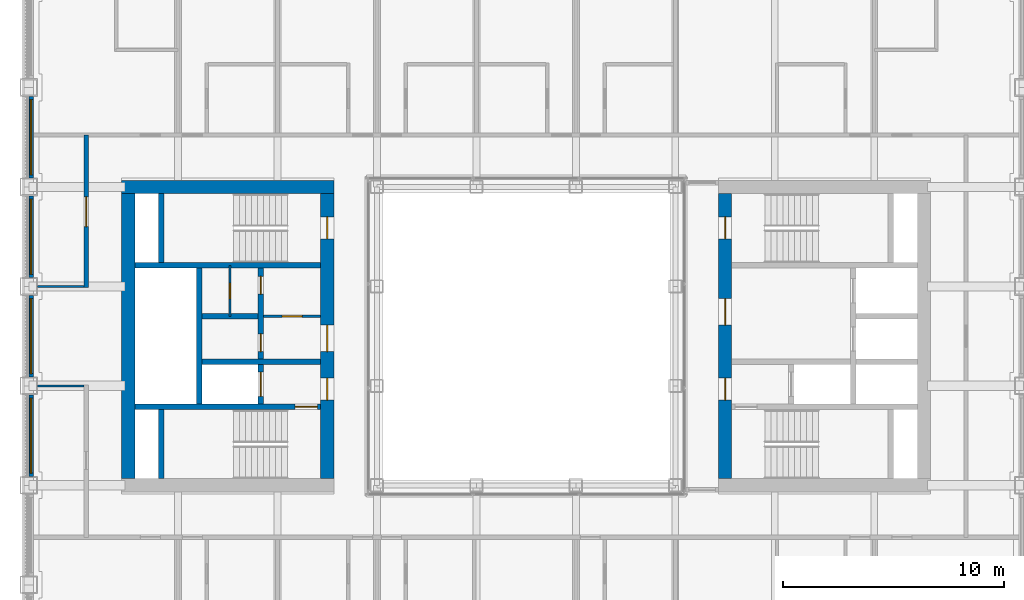
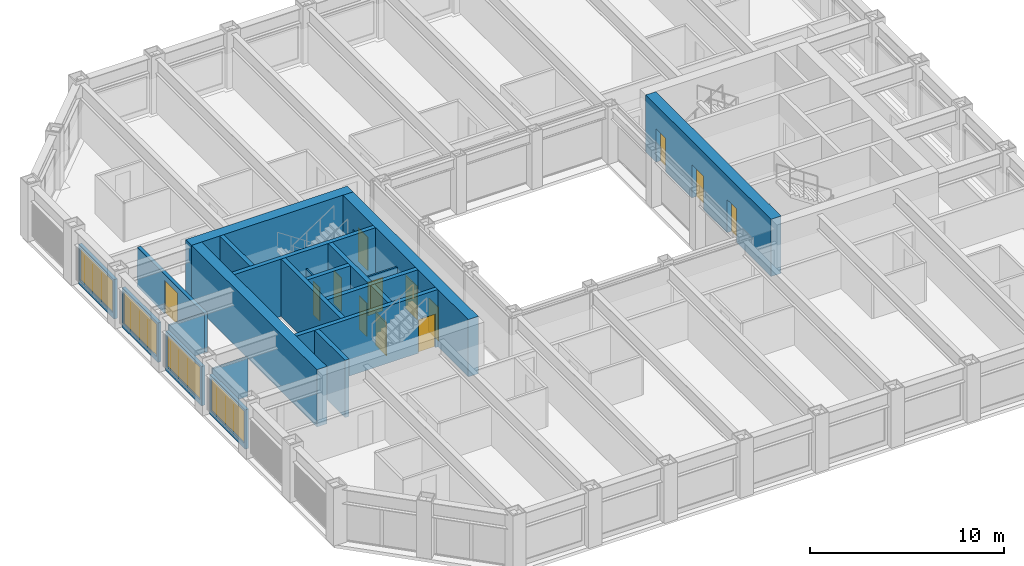
# One storey, part 11 of 17: 21 walls, 13 doors, 4 windows, 17 openings.
"""IFC4 building model written with IfcOpenShell, lengths in metres."""

from ifc_helpers import new_model, si_unit, direction, frame, frame_2d, origin, place, context, subcontext, project, spatial, rectangle, extrude, material, layer, layer_set, type_object, element, fill, save


model = new_model("IFC4")

# Units and contexts
model_context = context("Model", 3, precision=1e-05, world=origin(), true_north=direction((0.0, 1.0)))
body_context = subcontext(model_context, "Body", "Model", "MODEL_VIEW")
ifc_project = project(units=[si_unit("LENGTHUNIT", "METRE"), si_unit("AREAUNIT", "SQUARE_METRE"), si_unit("VOLUMEUNIT", "CUBIC_METRE"), si_unit("PLANEANGLEUNIT", "RADIAN"), si_unit("MASSUNIT", "GRAM", prefix="KILO")], contexts=[model_context])

# Site, building, storey
site_placement = place(None, origin())
site = spatial("IfcSite", under=ifc_project, at=site_placement, CompositionType="ELEMENT")
building_placement = place(site_placement, origin())
building = spatial("IfcBuilding", under=site, at=building_placement, Name="Msasa Ring Tower", CompositionType="ELEMENT")
storey_placement = place(building_placement, frame((0.0, 0.0, 147.199951171875)))
storey = spatial("IfcBuildingStorey", under=building, at=storey_placement, Name="L38", CompositionType="ELEMENT", Elevation=147.199951171875)

# Wall, openings, doors
ifc_material_1 = material(Name="Concrete C60/75", Category="concrete")
ifc_layer_1 = layer(ifc_material_1, 0.60009765625)
ifc_layer_set_1 = layer_set([ifc_layer_1], Name="CW2 CORE WALL 600")
wall_type_1 = type_object("IfcWallType", Name="CW2 CORE WALL 600", PredefinedType="SHEAR", material=ifc_layer_set_1)
wall_1_placement = place(storey_placement, frame((9.0, -6.449951171875, 0.0), z_axis=(0.0, 0.0, 1.0), x_axis=(0.0, 1.0, 0.0)))
wall_1 = element("IfcWall", 1, at=wall_1_placement, inside=storey, type_object=wall_type_1, Name="E core wall W L38", PredefinedType="SHEAR", context=body_context, shape_type="SweptSolid", body=[
    extrude(rectangle(XDim=12.89990234375, YDim=0.60009765625, at=frame_2d((6.449951171875, 0.0))), origin(), (0.0, 0.0, 1.0), 3.60009765625),
])
opening_1_placement = place(wall_1_placement, frame((3.550048828125, 0.0, 0.0)))
opening_1 = element("IfcOpeningElement", 2, at=opening_1_placement, cuts=wall_1, Name="Opening HC-029", PredefinedType="OPENING", context=body_context, shape_type="SweptSolid", body=[
    extrude(rectangle(XDim=1.0, YDim=2.10009765625, at=frame_2d((0.5, 1.050048828125))), frame((0.0, 0.31005859375, 0.0), z_axis=(0.0, -1.0, 0.0), x_axis=(1.0, 0.0, 0.0)), (0.0, 0.0, 1.0), 0.6201171875),
])
opening_2_placement = place(wall_1_placement, frame((6.949951171875, 0.0, 0.0)))
opening_2 = element("IfcOpeningElement", 3, at=opening_2_placement, cuts=wall_1, Name="Opening HC-023", PredefinedType="OPENING", context=body_context, shape_type="SweptSolid", body=[
    extrude(rectangle(XDim=1.199951171875, YDim=2.10009765625, at=frame_2d((0.60009765625, 1.050048828125))), frame((0.0, 0.31005859375, 0.0), z_axis=(0.0, -1.0, 0.0), x_axis=(1.0, 0.0, 0.0)), (0.0, 0.0, 1.0), 0.6201171875),
])
opening_3_placement = place(wall_1_placement, frame((10.85009765625, 0.0, 0.0)))
opening_3 = element("IfcOpeningElement", 4, at=opening_3_placement, cuts=wall_1, Name="Opening HC-020", PredefinedType="OPENING", context=body_context, shape_type="SweptSolid", body=[
    extrude(rectangle(XDim=1.0, YDim=2.10009765625, at=frame_2d((0.5, 1.050048828125))), frame((0.0, 0.31005859375, 0.0), z_axis=(0.0, -1.0, 0.0), x_axis=(1.0, 0.0, 0.0)), (0.0, 0.0, 1.0), 0.6201171875),
])
ifc_material_2 = material(Name="Timber door leaf in a steel frame", Category="steel")
door_type_1 = type_object("IfcDoorType", Name="D4 LOBBY DOOR 1000x2100", OperationType="SINGLE_SWING_LEFT", PredefinedType="DOOR", material=ifc_material_2)
door_1_placement = place(opening_1_placement, origin())
door_1 = element("IfcDoor", 5, at=door_1_placement, inside=storey, type_object=door_type_1, Name="Door L38-EFFL", OperationType="SINGLE_SWING_LEFT", OverallHeight=2.10009765625, OverallWidth=1.0, PredefinedType="DOOR", context=body_context, shape_type="SweptSolid", body=[
    extrude(rectangle(XDim=1.0, YDim=2.10009765625, at=frame_2d((0.5, 1.050048828125))), frame((0.0, 0.02490234375, 0.0), z_axis=(0.0, -1.0, 0.0), x_axis=(1.0, 0.0, 0.0)), (0.0, 0.0, 1.0), 0.050048828125),
])
fill(opening_1, door_1)
ifc_material_3 = material(Name="Timber door leaf in a steel frame", Category="steel")
door_type_2 = type_object("IfcDoorType", Name="D5 WIDE LOBBY DOOR 1200x2100", OperationType="SINGLE_SWING_LEFT", PredefinedType="DOOR", material=ifc_material_3)
door_2_placement = place(opening_2_placement, origin())
door_2 = element("IfcDoor", 6, at=door_2_placement, inside=storey, type_object=door_type_2, Name="Door L38-ELL", OperationType="SINGLE_SWING_RIGHT", OverallHeight=2.10009765625, OverallWidth=1.199951171875, PredefinedType="DOOR", context=body_context, shape_type="SweptSolid", body=[
    extrude(rectangle(XDim=1.199951171875, YDim=2.10009765625, at=frame_2d((0.60009765625, 1.050048828125))), frame((0.0, 0.02490234375, 0.0), z_axis=(0.0, -1.0, 0.0), x_axis=(1.0, 0.0, 0.0)), (0.0, 0.0, 1.0), 0.050048828125),
])
fill(opening_2, door_2)
ifc_material_4 = material(Name="Timber door leaf in a steel frame", Category="steel")
door_type_3 = type_object("IfcDoorType", Name="D6 STAIR DOOR 1000x2100", OperationType="SINGLE_SWING_LEFT", PredefinedType="DOOR", material=ifc_material_4)
door_3_placement = place(opening_3_placement, origin())
door_3 = element("IfcDoor", 7, at=door_3_placement, inside=storey, type_object=door_type_3, Name="Door L38-ESTB", OperationType="SINGLE_SWING_RIGHT", OverallHeight=2.10009765625, OverallWidth=1.0, PredefinedType="DOOR", context=body_context, shape_type="SweptSolid", body=[
    extrude(rectangle(XDim=1.0, YDim=2.10009765625, at=frame_2d((0.5, 1.050048828125))), frame((0.0, 0.02490234375, 0.0), z_axis=(0.0, -1.0, 0.0), x_axis=(1.0, 0.0, 0.0)), (0.0, 0.0, 1.0), 0.050048828125),
])
fill(opening_3, door_3)

# Wall
wall_2_placement = place(storey_placement, frame((-8.699951171875, 6.75, 0.0), z_axis=(0.0, 0.0, 1.0), x_axis=(-1.0, 0.0, 0.0)))
element("IfcWall", 8, at=wall_2_placement, inside=storey, type_object=wall_type_1, Name="W core wall N L38", PredefinedType="SHEAR", context=body_context, shape_type="SweptSolid", body=[
    extrude(rectangle(XDim=9.60009765625, YDim=0.60009765625, at=frame_2d((4.800048828125, 0.0))), origin(), (0.0, 0.0, 1.0), 3.60009765625),
])

# Wall, openings, doors
wall_3_placement = place(storey_placement, frame((-9.0, -6.449951171875, 0.0), z_axis=(0.0, 0.0, 1.0), x_axis=(0.0, 1.0, 0.0)))
wall_3 = element("IfcWall", 9, at=wall_3_placement, inside=storey, type_object=wall_type_1, Name="W core wall W L38", PredefinedType="SHEAR", context=body_context, shape_type="SweptSolid", body=[
    extrude(rectangle(XDim=12.89990234375, YDim=0.60009765625, at=frame_2d((6.449951171875, 0.0))), origin(), (0.0, 0.0, 1.0), 3.60009765625),
])
opening_4_placement = place(wall_3_placement, frame((3.550048828125, 0.0, 0.0)))
opening_4 = element("IfcOpeningElement", 10, at=opening_4_placement, cuts=wall_3, Name="Opening HC-028", PredefinedType="OPENING", context=body_context, shape_type="SweptSolid", body=[
    extrude(rectangle(XDim=1.0, YDim=2.10009765625, at=frame_2d((0.5, 1.050048828125))), frame((0.0, 0.31005859375, 0.0), z_axis=(0.0, -1.0, 0.0), x_axis=(1.0, 0.0, 0.0)), (0.0, 0.0, 1.0), 0.6201171875),
])
opening_5_placement = place(wall_3_placement, frame((5.75, 0.0, 0.0)))
opening_5 = element("IfcOpeningElement", 11, at=opening_5_placement, cuts=wall_3, Name="Opening HC-026", PredefinedType="OPENING", context=body_context, shape_type="SweptSolid", body=[
    extrude(rectangle(XDim=1.199951171875, YDim=2.10009765625, at=frame_2d((0.60009765625, 1.050048828125))), frame((0.0, 0.31005859375, 0.0), z_axis=(0.0, -1.0, 0.0), x_axis=(1.0, 0.0, 0.0)), (0.0, 0.0, 1.0), 0.6201171875),
])
opening_6_placement = place(wall_3_placement, frame((10.85009765625, 0.0, 0.0)))
opening_6 = element("IfcOpeningElement", 12, at=opening_6_placement, cuts=wall_3, Name="Opening HC-019", PredefinedType="OPENING", context=body_context, shape_type="SweptSolid", body=[
    extrude(rectangle(XDim=1.0, YDim=2.10009765625, at=frame_2d((0.5, 1.050048828125))), frame((0.0, 0.31005859375, 0.0), z_axis=(0.0, -1.0, 0.0), x_axis=(1.0, 0.0, 0.0)), (0.0, 0.0, 1.0), 0.6201171875),
])
door_4_placement = place(opening_4_placement, origin())
door_4 = element("IfcDoor", 13, at=door_4_placement, inside=storey, type_object=door_type_1, Name="Door L38-WFFL", OperationType="SINGLE_SWING_LEFT", OverallHeight=2.10009765625, OverallWidth=1.0, PredefinedType="DOOR", context=body_context, shape_type="SweptSolid", body=[
    extrude(rectangle(XDim=1.0, YDim=2.10009765625, at=frame_2d((0.5, 1.050048828125))), frame((0.0, 0.02490234375, 0.0), z_axis=(0.0, -1.0, 0.0), x_axis=(1.0, 0.0, 0.0)), (0.0, 0.0, 1.0), 0.050048828125),
])
fill(opening_4, door_4)
door_5_placement = place(opening_5_placement, origin())
door_5 = element("IfcDoor", 14, at=door_5_placement, inside=storey, type_object=door_type_2, Name="Door L38-WLL", OperationType="SINGLE_SWING_LEFT", OverallHeight=2.10009765625, OverallWidth=1.199951171875, PredefinedType="DOOR", context=body_context, shape_type="SweptSolid", body=[
    extrude(rectangle(XDim=1.199951171875, YDim=2.10009765625, at=frame_2d((0.60009765625, 1.050048828125))), frame((0.0, 0.02490234375, 0.0), z_axis=(0.0, -1.0, 0.0), x_axis=(1.0, 0.0, 0.0)), (0.0, 0.0, 1.0), 0.050048828125),
])
fill(opening_5, door_5)
door_6_placement = place(opening_6_placement, origin())
door_6 = element("IfcDoor", 15, at=door_6_placement, inside=storey, type_object=door_type_3, Name="Door L38-WSTB", OperationType="SINGLE_SWING_RIGHT", OverallHeight=2.10009765625, OverallWidth=1.0, PredefinedType="DOOR", context=body_context, shape_type="SweptSolid", body=[
    extrude(rectangle(XDim=1.0, YDim=2.10009765625, at=frame_2d((0.5, 1.050048828125))), frame((0.0, 0.02490234375, 0.0), z_axis=(0.0, -1.0, 0.0), x_axis=(1.0, 0.0, 0.0)), (0.0, 0.0, 1.0), 0.050048828125),
])
fill(opening_6, door_6)

# Wall
wall_4_placement = place(storey_placement, frame((-18.0, -6.449951171875, 0.0), z_axis=(0.0, 0.0, 1.0), x_axis=(0.0, 1.0, 0.0)))
element("IfcWall", 16, at=wall_4_placement, inside=storey, type_object=wall_type_1, Name="W core wall E L38", PredefinedType="SHEAR", context=body_context, shape_type="SweptSolid", body=[
    extrude(rectangle(XDim=12.89990234375, YDim=0.60009765625, at=frame_2d((6.449951171875, 0.0))), origin(), (0.0, 0.0, 1.0), 3.60009765625),
])

# Wall, opening, door
ifc_material_5 = material(Name="Concrete C60/75", Category="concrete")
ifc_layer_2 = layer(ifc_material_5, 0.25)
ifc_layer_set_2 = layer_set([ifc_layer_2], Name="CW4 CORE INNER WALL 250")
wall_type_2 = type_object("IfcWallType", Name="CW4 CORE INNER WALL 250", PredefinedType="SHEAR", material=ifc_layer_set_2)
wall_5_placement = place(storey_placement, frame((-9.300048828125, -3.199951171875, 0.0), z_axis=(0.0, 0.0, 1.0), x_axis=(-1.0, 0.0, 0.0)))
wall_5 = element("IfcWall", 17, at=wall_5_placement, inside=storey, type_object=wall_type_2, Name="W core wall STAIRA L38", PredefinedType="SHEAR", context=body_context, shape_type="SweptSolid", body=[
    extrude(rectangle(XDim=8.39990234375, YDim=0.25, at=frame_2d((4.199951171875, 0.0))), origin(), (0.0, 0.0, 1.0), 3.60009765625),
])
opening_7_placement = place(wall_5_placement, frame((0.14990234375, 0.0, 0.0)))
opening_7 = element("IfcOpeningElement", 18, at=opening_7_placement, cuts=wall_5, Name="Opening HC-030", PredefinedType="OPENING", context=body_context, shape_type="SweptSolid", body=[
    extrude(rectangle(XDim=1.0, YDim=2.10009765625, at=frame_2d((0.5, 1.050048828125))), frame((0.0, 0.135009765625, 0.0), z_axis=(0.0, -1.0, 0.0), x_axis=(1.0, 0.0, 0.0)), (0.0, 0.0, 1.0), 0.27001953125),
])
door_7_placement = place(opening_7_placement, origin())
door_7 = element("IfcDoor", 19, at=door_7_placement, inside=storey, type_object=door_type_3, Name="Door L38-WSTA", OperationType="SINGLE_SWING_LEFT", OverallHeight=2.10009765625, OverallWidth=1.0, PredefinedType="DOOR", context=body_context, shape_type="SweptSolid", body=[
    extrude(rectangle(XDim=1.0, YDim=2.10009765625, at=frame_2d((0.5, 1.050048828125))), frame((0.0, 0.02490234375, 0.0), z_axis=(0.0, -1.0, 0.0), x_axis=(1.0, 0.0, 0.0)), (0.0, 0.0, 1.0), 0.050048828125),
])
fill(opening_7, door_7)

# Walls
wall_6_placement = place(storey_placement, frame((-9.300048828125, 3.199951171875, 0.0), z_axis=(0.0, 0.0, 1.0), x_axis=(-1.0, 0.0, 0.0)))
element("IfcWall", 20, at=wall_6_placement, inside=storey, type_object=wall_type_2, Name="W core wall STAIRB L38", PredefinedType="SHEAR", context=body_context, shape_type="SweptSolid", body=[
    extrude(rectangle(XDim=8.39990234375, YDim=0.25, at=frame_2d((4.199951171875, 0.0))), origin(), (0.0, 0.0, 1.0), 3.60009765625),
])
for number, where, z_axis, x_axis, name in (
    (21, (-16.5, -6.449951171875, 0.0), (0.0, 0.0, 1.0), (0.0, 1.0, 0.0), "W core wall RISERA L38"),
    (22, (-16.5, 3.324951171875, 0.0), (0.0, 0.0, 1.0), (0.0, 1.0, 0.0), "W core wall RISERB L38"),
):
    element("IfcWall", number, at=place(storey_placement, frame(where, z_axis=z_axis, x_axis=x_axis)), inside=storey, type_object=wall_type_2, Name=name, PredefinedType="SHEAR", context=body_context, shape_type="SweptSolid", body=[
        extrude(rectangle(XDim=3.125, YDim=0.25, at=frame_2d((1.5625, 0.0))), origin(), (0.0, 0.0, 1.0), 3.60009765625),
    ])
wall_7_placement = place(storey_placement, frame((-9.300048828125, -1.14990234375, 0.0), z_axis=(0.0, 0.0, 1.0), x_axis=(-1.0, 0.0, 0.0)))
element("IfcWall", 23, at=wall_7_placement, inside=storey, type_object=wall_type_2, Name="W core wall FFL L38", PredefinedType="SHEAR", context=body_context, shape_type="SweptSolid", body=[
    extrude(rectangle(XDim=5.375, YDim=0.25, at=frame_2d((2.6875, 0.0))), origin(), (0.0, 0.0, 1.0), 3.60009765625),
])

# Wall, openings, doors
wall_8_placement = place(storey_placement, frame((-12.0, -3.074951171875, 0.0), z_axis=(0.0, 0.0, 1.0), x_axis=(0.0, 1.0, 0.0)))
wall_8 = element("IfcWall", 24, at=wall_8_placement, inside=storey, type_object=wall_type_2, Name="W core wall LOBBY L38", PredefinedType="SHEAR", context=body_context, shape_type="SweptSolid", body=[
    extrude(rectangle(XDim=6.14990234375, YDim=0.25, at=frame_2d((3.074951171875, 0.0))), origin(), (0.0, 0.0, 1.0), 3.60009765625),
])
opening_8_placement = place(wall_8_placement, frame((2.375, 0.0, 0.0)))
opening_8 = element("IfcOpeningElement", 25, at=opening_8_placement, cuts=wall_8, Name="Opening HC-027", PredefinedType="OPENING", context=body_context, shape_type="SweptSolid", body=[
    extrude(rectangle(XDim=0.800048828125, YDim=2.10009765625, at=frame_2d((0.39990234375, 1.050048828125))), frame((0.0, 0.135009765625, 0.0), z_axis=(0.0, -1.0, 0.0), x_axis=(1.0, 0.0, 0.0)), (0.0, 0.0, 1.0), 0.27001953125),
])
opening_9_placement = place(wall_8_placement, frame((4.97509765625, 0.0, 0.0)))
opening_9 = element("IfcOpeningElement", 26, at=opening_9_placement, cuts=wall_8, Name="Opening HC-021", PredefinedType="OPENING", context=body_context, shape_type="SweptSolid", body=[
    extrude(rectangle(XDim=0.800048828125, YDim=2.10009765625, at=frame_2d((0.39990234375, 1.050048828125))), frame((0.0, 0.135009765625, 0.0), z_axis=(0.0, -1.0, 0.0), x_axis=(1.0, 0.0, 0.0)), (0.0, 0.0, 1.0), 0.27001953125),
])
opening_10_placement = place(wall_8_placement, frame((0.35009765625, 0.0, 0.0)))
opening_10 = element("IfcOpeningElement", 27, at=opening_10_placement, cuts=wall_8, Name="Opening LD1", PredefinedType="OPENING", context=body_context, shape_type="SweptSolid", body=[
    extrude(rectangle(XDim=1.10009765625, YDim=2.10009765625, at=frame_2d((0.550048828125, 1.050048828125))), frame((0.0, 0.135009765625, 0.0), z_axis=(0.0, -1.0, 0.0), x_axis=(1.0, 0.0, 0.0)), (0.0, 0.0, 1.0), 0.27001953125),
])
ifc_material_6 = material(Name="Timber door leaf in a steel frame", Category="steel")
door_type_4 = type_object("IfcDoorType", Name="D9 NARROW SERVICE DOOR 800x2100", OperationType="SINGLE_SWING_LEFT", PredefinedType="DOOR", material=ifc_material_6)
door_8_placement = place(opening_8_placement, origin())
door_8 = element("IfcDoor", 28, at=door_8_placement, inside=storey, type_object=door_type_4, Name="Door L38-WR1", OperationType="SINGLE_SWING_LEFT", OverallHeight=2.10009765625, OverallWidth=0.800048828125, PredefinedType="DOOR", context=body_context, shape_type="SweptSolid", body=[
    extrude(rectangle(XDim=0.800048828125, YDim=2.10009765625, at=frame_2d((0.39990234375, 1.050048828125))), frame((0.0, 0.02490234375, 0.0), z_axis=(0.0, -1.0, 0.0), x_axis=(1.0, 0.0, 0.0)), (0.0, 0.0, 1.0), 0.050048828125),
])
fill(opening_8, door_8)
door_9_placement = place(opening_9_placement, origin())
door_9 = element("IfcDoor", 29, at=door_9_placement, inside=storey, type_object=door_type_4, Name="Door L38-WR2", OperationType="SINGLE_SWING_RIGHT", OverallHeight=2.10009765625, OverallWidth=0.800048828125, PredefinedType="DOOR", context=body_context, shape_type="SweptSolid", body=[
    extrude(rectangle(XDim=0.800048828125, YDim=2.10009765625, at=frame_2d((0.39990234375, 1.050048828125))), frame((0.0, 0.02490234375, 0.0), z_axis=(0.0, -1.0, 0.0), x_axis=(1.0, 0.0, 0.0)), (0.0, 0.0, 1.0), 0.050048828125),
])
fill(opening_9, door_9)
ifc_material_7 = material(Name="Stainless steel lift landing door", Category="steel")
door_type_5 = type_object("IfcDoorType", Name="LD1 LIFT LANDING DOOR 1100x2100", OperationType="DOUBLE_DOOR_SLIDING", PredefinedType="DOOR", material=ifc_material_7)
door_10_placement = place(opening_10_placement, origin())
door_10 = element("IfcDoor", 30, at=door_10_placement, inside=storey, type_object=door_type_5, Name="Lift landing door FL-W L38", OperationType="DOUBLE_DOOR_SLIDING", OverallHeight=2.10009765625, OverallWidth=1.10009765625, PredefinedType="DOOR", context=body_context, shape_type="SweptSolid", body=[
    extrude(rectangle(XDim=1.10009765625, YDim=2.10009765625, at=frame_2d((0.550048828125, 1.050048828125))), frame((0.0, 0.02490234375, 0.0), z_axis=(0.0, -1.0, 0.0), x_axis=(1.0, 0.0, 0.0)), (0.0, 0.0, 1.0), 0.050048828125),
])
fill(opening_10, door_10)

# Walls
wall_9_placement = place(storey_placement, frame((-14.800048828125, -3.074951171875, 0.0), z_axis=(0.0, 0.0, 1.0), x_axis=(0.0, 1.0, 0.0)))
element("IfcWall", 31, at=wall_9_placement, inside=storey, type_object=wall_type_2, Name="W core wall SHAFT L38", PredefinedType="SHEAR", context=body_context, shape_type="SweptSolid", body=[
    extrude(rectangle(XDim=6.14990234375, YDim=0.25, at=frame_2d((3.074951171875, 0.0))), origin(), (0.0, 0.0, 1.0), 3.60009765625),
])
wall_10_placement = place(storey_placement, frame((-12.125, 0.89990234375, 0.0), z_axis=(0.0, 0.0, 1.0), x_axis=(-1.0, 0.0, 0.0)))
element("IfcWall", 32, at=wall_10_placement, inside=storey, type_object=wall_type_2, Name="W core wall LIFT1 L38", PredefinedType="SHEAR", context=body_context, shape_type="SweptSolid", body=[
    extrude(rectangle(XDim=2.550048828125, YDim=0.25, at=frame_2d((1.27490234375, 0.0))), origin(), (0.0, 0.0, 1.0), 3.60009765625),
])

# Wall, opening, window
ifc_material_8 = material(Name="Terracotta rainscreen on blockwork", Category="masonry")
ifc_layer_3 = layer(ifc_material_8, 0.199951171875)
ifc_layer_set_3 = layer_set([ifc_layer_3], Name="FW1 TERRACOTTA-LINED INFILL BAY WALL 200")
wall_type_3 = type_object("IfcWallType", Name="FW1 TERRACOTTA-LINED INFILL BAY WALL 200", PredefinedType="SOLIDWALL", material=ifc_layer_set_3)
wall_11_placement = place(storey_placement, frame((-22.39990234375, -6.344970703125, 0.0), z_axis=(0.0, 0.0, 1.0), x_axis=(0.0, 1.0, 0.0)))
wall_11 = element("IfcWall", 33, at=wall_11_placement, inside=storey, type_object=wall_type_3, Name="Infill bay wall W L38 29", PredefinedType="SOLIDWALL", context=body_context, shape_type="SweptSolid", body=[
    extrude(rectangle(XDim=3.68994140625, YDim=0.199951171875, at=frame_2d((1.844970703125, 0.0))), origin(), (0.0, 0.0, 1.0), 2.47900390625),
])
opening_11_placement = place(wall_11_placement, frame((0.14501953125, 0.0, 0.300048828125)))
opening_11 = element("IfcOpeningElement", 34, at=opening_11_placement, cuts=wall_11, Name="Opening WN2", PredefinedType="OPENING", context=body_context, shape_type="SweptSolid", body=[
    extrude(rectangle(XDim=3.39990234375, YDim=2.029052734375, at=frame_2d((1.699951171875, 1.0146484375))), frame((0.0, 0.10986328125, 0.0), z_axis=(0.0, -1.0, 0.0), x_axis=(1.0, 0.0, 0.0)), (0.0, 0.0, 1.0), 0.219970703125),
])
ifc_material_9 = material(Name="Aluminium frame with clear glass", Category="aluminium")
window_type = type_object("IfcWindowType", Name="WN2 GUEST ROOM WINDOW 3400x2029", PartitioningType="SINGLE_PANEL", PredefinedType="WINDOW", material=ifc_material_9)
window_1_placement = place(opening_11_placement, origin())
window_1 = element("IfcWindow", 35, at=window_1_placement, inside=storey, type_object=window_type, Name="Window W L38 29", OverallHeight=2.029052734375, OverallWidth=3.39990234375, PartitioningType="SINGLE_PANEL", PredefinedType="WINDOW", context=body_context, shape_type="SweptSolid", body=[
    extrude(rectangle(XDim=3.39990234375, YDim=2.029052734375, at=frame_2d((1.699951171875, 1.0146484375))), frame((0.0, 0.030029296875, 0.0), z_axis=(0.0, -1.0, 0.0), x_axis=(1.0, 0.0, 0.0)), (0.0, 0.0, 1.0), 0.06005859375),
])
fill(opening_11, window_1)

wall_12_placement = place(storey_placement, frame((-22.39990234375, -1.844970703125, 0.0), z_axis=(0.0, 0.0, 1.0), x_axis=(0.0, 1.0, 0.0)))
wall_12 = element("IfcWall", 36, at=wall_12_placement, inside=storey, type_object=wall_type_3, Name="Infill bay wall W L38 30", PredefinedType="SOLIDWALL", context=body_context, shape_type="SweptSolid", body=[
    extrude(rectangle(XDim=3.68994140625, YDim=0.199951171875, at=frame_2d((1.844970703125, 0.0))), origin(), (0.0, 0.0, 1.0), 2.47900390625),
])
opening_12_placement = place(wall_12_placement, frame((0.14501953125, 0.0, 0.300048828125)))
opening_12 = element("IfcOpeningElement", 37, at=opening_12_placement, cuts=wall_12, Name="Opening WN2", PredefinedType="OPENING", context=body_context, shape_type="SweptSolid", body=[
    extrude(rectangle(XDim=3.39990234375, YDim=2.029052734375, at=frame_2d((1.699951171875, 1.0146484375))), frame((0.0, 0.10986328125, 0.0), z_axis=(0.0, -1.0, 0.0), x_axis=(1.0, 0.0, 0.0)), (0.0, 0.0, 1.0), 0.219970703125),
])
window_2_placement = place(opening_12_placement, origin())
window_2 = element("IfcWindow", 38, at=window_2_placement, inside=storey, type_object=window_type, Name="Window W L38 30", OverallHeight=2.029052734375, OverallWidth=3.39990234375, PartitioningType="SINGLE_PANEL", PredefinedType="WINDOW", context=body_context, shape_type="SweptSolid", body=[
    extrude(rectangle(XDim=3.39990234375, YDim=2.029052734375, at=frame_2d((1.699951171875, 1.0146484375))), frame((0.0, 0.030029296875, 0.0), z_axis=(0.0, -1.0, 0.0), x_axis=(1.0, 0.0, 0.0)), (0.0, 0.0, 1.0), 0.06005859375),
])
fill(opening_12, window_2)

wall_13_placement = place(storey_placement, frame((-22.39990234375, 2.655029296875, 0.0), z_axis=(0.0, 0.0, 1.0), x_axis=(0.0, 1.0, 0.0)))
wall_13 = element("IfcWall", 39, at=wall_13_placement, inside=storey, type_object=wall_type_3, Name="Infill bay wall W L38 31", PredefinedType="SOLIDWALL", context=body_context, shape_type="SweptSolid", body=[
    extrude(rectangle(XDim=3.68994140625, YDim=0.199951171875, at=frame_2d((1.844970703125, 0.0))), origin(), (0.0, 0.0, 1.0), 2.47900390625),
])
opening_13_placement = place(wall_13_placement, frame((0.14501953125, 0.0, 0.300048828125)))
opening_13 = element("IfcOpeningElement", 40, at=opening_13_placement, cuts=wall_13, Name="Opening WN2", PredefinedType="OPENING", context=body_context, shape_type="SweptSolid", body=[
    extrude(rectangle(XDim=3.39990234375, YDim=2.029052734375, at=frame_2d((1.699951171875, 1.0146484375))), frame((0.0, 0.10986328125, 0.0), z_axis=(0.0, -1.0, 0.0), x_axis=(1.0, 0.0, 0.0)), (0.0, 0.0, 1.0), 0.219970703125),
])
window_3_placement = place(opening_13_placement, origin())
window_3 = element("IfcWindow", 41, at=window_3_placement, inside=storey, type_object=window_type, Name="Window W L38 31", OverallHeight=2.029052734375, OverallWidth=3.39990234375, PartitioningType="SINGLE_PANEL", PredefinedType="WINDOW", context=body_context, shape_type="SweptSolid", body=[
    extrude(rectangle(XDim=3.39990234375, YDim=2.029052734375, at=frame_2d((1.699951171875, 1.0146484375))), frame((0.0, 0.030029296875, 0.0), z_axis=(0.0, -1.0, 0.0), x_axis=(1.0, 0.0, 0.0)), (0.0, 0.0, 1.0), 0.06005859375),
])
fill(opening_13, window_3)

wall_14_placement = place(storey_placement, frame((-22.39990234375, 7.155029296875, 0.0), z_axis=(0.0, 0.0, 1.0), x_axis=(0.0, 1.0, 0.0)))
wall_14 = element("IfcWall", 42, at=wall_14_placement, inside=storey, type_object=wall_type_3, Name="Infill bay wall W L38 32", PredefinedType="SOLIDWALL", context=body_context, shape_type="SweptSolid", body=[
    extrude(rectangle(XDim=3.68994140625, YDim=0.199951171875, at=frame_2d((1.844970703125, 0.0))), origin(), (0.0, 0.0, 1.0), 2.47900390625),
])
opening_14_placement = place(wall_14_placement, frame((0.14501953125, 0.0, 0.300048828125)))
opening_14 = element("IfcOpeningElement", 43, at=opening_14_placement, cuts=wall_14, Name="Opening WN2", PredefinedType="OPENING", context=body_context, shape_type="SweptSolid", body=[
    extrude(rectangle(XDim=3.39990234375, YDim=2.029052734375, at=frame_2d((1.699951171875, 1.0146484375))), frame((0.0, 0.10986328125, 0.0), z_axis=(0.0, -1.0, 0.0), x_axis=(1.0, 0.0, 0.0)), (0.0, 0.0, 1.0), 0.219970703125),
])
window_4_placement = place(opening_14_placement, origin())
window_4 = element("IfcWindow", 44, at=window_4_placement, inside=storey, type_object=window_type, Name="Window W L38 32", OverallHeight=2.029052734375, OverallWidth=3.39990234375, PartitioningType="SINGLE_PANEL", PredefinedType="WINDOW", context=body_context, shape_type="SweptSolid", body=[
    extrude(rectangle(XDim=3.39990234375, YDim=2.029052734375, at=frame_2d((1.699951171875, 1.0146484375))), frame((0.0, 0.030029296875, 0.0), z_axis=(0.0, -1.0, 0.0), x_axis=(1.0, 0.0, 0.0)), (0.0, 0.0, 1.0), 0.06005859375),
])
fill(opening_14, window_4)

# Wall, opening, door
ifc_material_10 = material(Name="Concrete blockwork", Category="masonry")
ifc_layer_4 = layer(ifc_material_10, 0.199951171875)
ifc_layer_set_4 = layer_set([ifc_layer_4], Name="PT1 CORRIDOR WALL 200")
wall_type_4 = type_object("IfcWallType", Name="PT1 CORRIDOR WALL 200", PredefinedType="PARTITIONING", material=ifc_layer_set_4)
wall_15_placement = place(storey_placement, frame((-19.89990234375, 2.199951171875, 0.0), z_axis=(0.0, 0.0, 1.0), x_axis=(0.0, 1.0, 0.0)))
wall_15 = element("IfcWall", 45, at=wall_15_placement, inside=storey, type_object=wall_type_4, Name="Corridor wall L38-STRWN", PredefinedType="PARTITIONING", context=body_context, shape_type="SweptSolid", body=[
    extrude(rectangle(XDim=6.900146484375, YDim=0.199951171875, at=frame_2d((3.4501953125, 0.0))), origin(), (0.0, 0.0, 1.0), 2.473388671875),
])
opening_15_placement = place(wall_15_placement, frame((2.75, 0.0, 0.0)))
opening_15 = element("IfcOpeningElement", 46, at=opening_15_placement, cuts=wall_15, Name="Opening HC-018", PredefinedType="OPENING", context=body_context, shape_type="SweptSolid", body=[
    extrude(rectangle(XDim=1.35009765625, YDim=2.10009765625, at=frame_2d((0.675048828125, 1.050048828125))), frame((0.0, 0.10986328125, 0.0), z_axis=(0.0, -1.0, 0.0), x_axis=(1.0, 0.0, 0.0)), (0.0, 0.0, 1.0), 0.219970703125),
])
ifc_material_11 = material(Name="Timber door leaf in a steel frame", Category="steel")
door_type_6 = type_object("IfcDoorType", Name="D23 HOUSEKEEPING UNEQUAL PAIR OF DOORS 1350x2100", OperationType="SINGLE_SWING_LEFT", PredefinedType="DOOR", material=ifc_material_11)
door_11_placement = place(opening_15_placement, origin())
door_11 = element("IfcDoor", 47, at=door_11_placement, inside=storey, type_object=door_type_6, Name="Door L38-HKW", OperationType="SINGLE_SWING_LEFT", OverallHeight=2.10009765625, OverallWidth=1.35009765625, PredefinedType="DOOR", context=body_context, shape_type="SweptSolid", body=[
    extrude(rectangle(XDim=1.35009765625, YDim=2.10009765625, at=frame_2d((0.675048828125, 1.050048828125))), frame((0.0, 0.02490234375, 0.0), z_axis=(0.0, -1.0, 0.0), x_axis=(1.0, 0.0, 0.0)), (0.0, 0.0, 1.0), 0.050048828125),
])
fill(opening_15, door_11)

# Walls
ifc_material_12 = material(Name="Gypsum board on steel studs", Category="steel")
ifc_layer_5 = layer(ifc_material_12, 0.10009765625)
ifc_layer_set_5 = layer_set([ifc_layer_5], Name="PT2 STUD PARTITION 100")
wall_type_5 = type_object("IfcWallType", Name="PT2 STUD PARTITION 100", PredefinedType="PARTITIONING", material=ifc_layer_set_5)
for number, where, z_axis, x_axis, name in (
    (48, (-22.10009765625, 2.25, 0.0), (0.0, 0.0, 1.0), (1.0, 0.0, 0.0), "Partition L38-ALWN"),
    (49, (-22.10009765625, -2.25, 0.0), (0.0, 0.0, 1.0), (1.0, 0.0, 0.0), "Partition L38-ALWS"),
):
    element("IfcWall", number, at=place(storey_placement, frame(where, z_axis=z_axis, x_axis=x_axis)), inside=storey, type_object=wall_type_5, Name=name, PredefinedType="PARTITIONING", context=body_context, shape_type="SweptSolid", body=[
        extrude(rectangle(XDim=2.10009765625, YDim=0.10009765625, at=frame_2d((1.050048828125, 0.0))), origin(), (0.0, 0.0, 1.0), 2.473388671875),
    ])

# Wall, opening, door
wall_16_placement = place(storey_placement, frame((-11.875, 0.89990234375, 0.0), z_axis=(0.0, 0.0, 1.0), x_axis=(1.0, 0.0, 0.0)))
wall_16 = element("IfcWall", 50, at=wall_16_placement, inside=storey, type_object=wall_type_5, Name="Partition L38-WCP", PredefinedType="PARTITIONING", context=body_context, shape_type="SweptSolid", body=[
    extrude(rectangle(XDim=2.574951171875, YDim=0.10009765625, at=frame_2d((1.28759765625, 0.0))), origin(), (0.0, 0.0, 1.0), 2.473388671875),
])
opening_16_placement = place(wall_16_placement, frame((0.83740234375, 0.0, 0.0)))
opening_16 = element("IfcOpeningElement", 51, at=opening_16_placement, cuts=wall_16, Name="Opening HC-024", PredefinedType="OPENING", context=body_context, shape_type="SweptSolid", body=[
    extrude(rectangle(XDim=0.89990234375, YDim=2.10009765625, at=frame_2d((0.449951171875, 1.050048828125))), frame((0.0, 0.06005859375, 0.0), z_axis=(0.0, -1.0, 0.0), x_axis=(1.0, 0.0, 0.0)), (0.0, 0.0, 1.0), 0.1201171875),
])
ifc_material_13 = material(Name="Timber door leaf in a steel frame", Category="steel")
door_type_7 = type_object("IfcDoorType", Name="D22 INTERNAL HALL DOOR 900x2100", OperationType="SINGLE_SWING_LEFT", PredefinedType="DOOR", material=ifc_material_13)
door_12_placement = place(opening_16_placement, origin())
door_12 = element("IfcDoor", 52, at=door_12_placement, inside=storey, type_object=door_type_7, Name="Door L38-WCP", OperationType="SINGLE_SWING_LEFT", OverallHeight=2.10009765625, OverallWidth=0.89990234375, PredefinedType="DOOR", context=body_context, shape_type="SweptSolid", body=[
    extrude(rectangle(XDim=0.89990234375, YDim=2.10009765625, at=frame_2d((0.449951171875, 1.050048828125))), frame((0.0, 0.02490234375, 0.0), z_axis=(0.0, -1.0, 0.0), x_axis=(1.0, 0.0, 0.0)), (0.0, 0.0, 1.0), 0.050048828125),
])
fill(opening_16, door_12)

wall_17_placement = place(storey_placement, frame((-13.39990234375, 0.89990234375, 0.0), z_axis=(0.0, 0.0, 1.0), x_axis=(0.0, 1.0, 0.0)))
wall_17 = element("IfcWall", 53, at=wall_17_placement, inside=storey, type_object=wall_type_5, Name="Partition L38-WRP2", PredefinedType="PARTITIONING", context=body_context, shape_type="SweptSolid", body=[
    extrude(rectangle(XDim=2.300048828125, YDim=0.10009765625, at=frame_2d((1.14990234375, 0.0))), origin(), (0.0, 0.0, 1.0), 2.473388671875),
])
opening_17_placement = place(wall_17_placement, frame((0.800048828125, 0.0, 0.0)))
opening_17 = element("IfcOpeningElement", 54, at=opening_17_placement, cuts=wall_17, Name="Opening HC-022", PredefinedType="OPENING", context=body_context, shape_type="SweptSolid", body=[
    extrude(rectangle(XDim=0.699951171875, YDim=2.10009765625, at=frame_2d((0.35009765625, 1.050048828125))), frame((0.0, 0.06005859375, 0.0), z_axis=(0.0, -1.0, 0.0), x_axis=(1.0, 0.0, 0.0)), (0.0, 0.0, 1.0), 0.1201171875),
])
ifc_material_14 = material(Name="Timber door leaf in a steel frame", Category="steel")
door_type_8 = type_object("IfcDoorType", Name="D32 INTERNAL NARROW STORE DOOR 700x2100", OperationType="SINGLE_SWING_LEFT", PredefinedType="DOOR", material=ifc_material_14)
door_13_placement = place(opening_17_placement, origin())
door_13 = element("IfcDoor", 55, at=door_13_placement, inside=storey, type_object=door_type_8, Name="Door L38-WRC2", OperationType="SINGLE_SWING_LEFT", OverallHeight=2.10009765625, OverallWidth=0.699951171875, PredefinedType="DOOR", context=body_context, shape_type="SweptSolid", body=[
    extrude(rectangle(XDim=0.699951171875, YDim=2.10009765625, at=frame_2d((0.35009765625, 1.050048828125))), frame((0.0, 0.02490234375, 0.0), z_axis=(0.0, -1.0, 0.0), x_axis=(1.0, 0.0, 0.0)), (0.0, 0.0, 1.0), 0.050048828125),
])
fill(opening_17, door_13)

save(model, "model.ifc")
